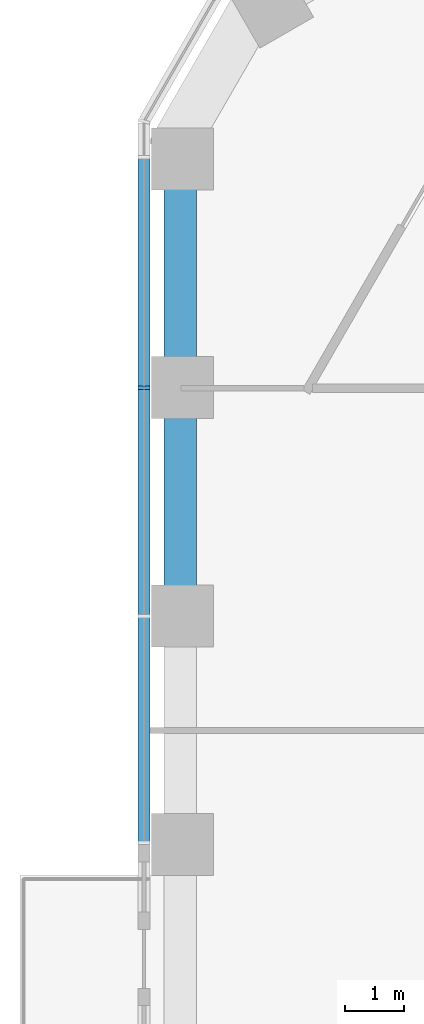
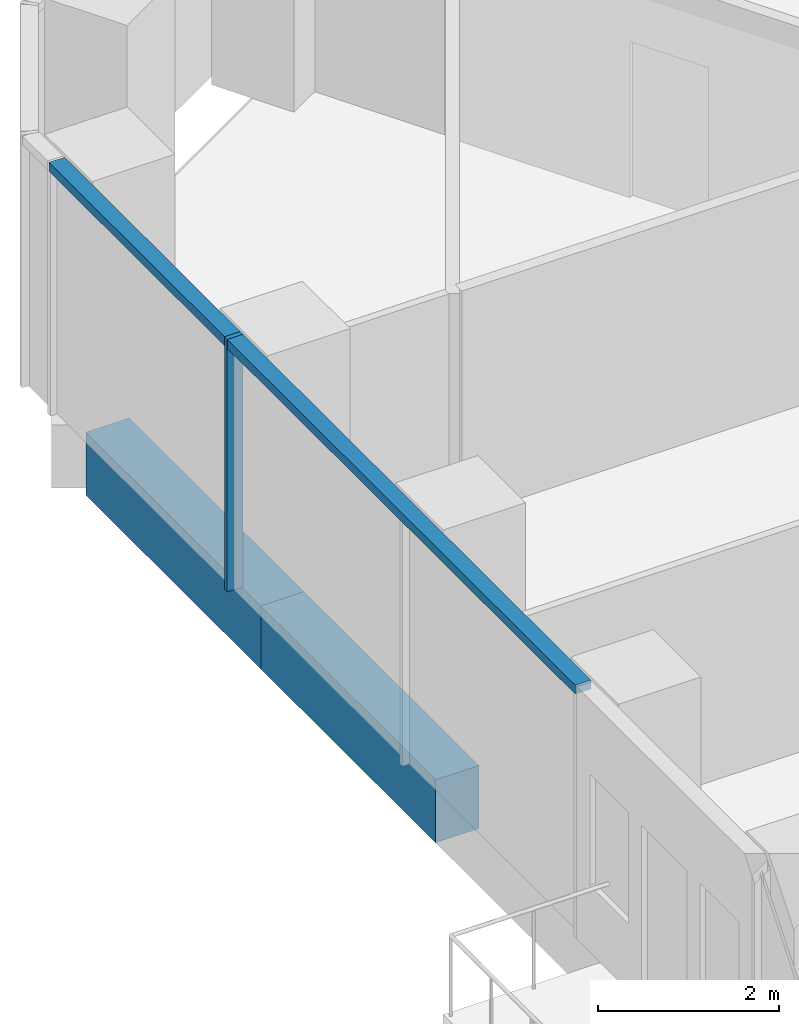
# One storey, part 4 of 20: 2 beams, 2 members, 1 element without a shape of its own.
"""IFC4 building model written with IfcOpenShell, lengths in metres."""

from ifc_helpers import new_model, si_unit, direction, frame, origin, origin_2d, place, context, subcontext, project, spatial, rectangle, extrude, material, layer, layer_set, material_profile, profile_set, type_object, element, aggregate, save


model = new_model("IFC4")

# Units and contexts
model_context = context("Model", 3, precision=1e-05, world=origin(), true_north=direction((0.0, 1.0)))
body_context = subcontext(model_context, "Body", "Model", "MODEL_VIEW")
ifc_project = project(units=[si_unit("LENGTHUNIT", "METRE"), si_unit("AREAUNIT", "SQUARE_METRE"), si_unit("VOLUMEUNIT", "CUBIC_METRE"), si_unit("PLANEANGLEUNIT", "RADIAN"), si_unit("MASSUNIT", "GRAM", prefix="KILO")], contexts=[model_context])

# Site, building, storey
site_placement = place(None, origin())
site = spatial("IfcSite", under=ifc_project, at=site_placement, CompositionType="ELEMENT")
building_placement = place(site_placement, origin())
building = spatial("IfcBuilding", under=site, at=building_placement, Name="Ayvan Gate Tower", CompositionType="ELEMENT")
storey_placement = place(building_placement, frame((0.0, 0.0, 96.699951171875)))
storey = spatial("IfcBuildingStorey", under=building, at=storey_placement, Name="L25", CompositionType="ELEMENT", Elevation=96.699951171875)

# Beams
ifc_material_1 = material(Name="Concrete C40/50", Category="concrete")
ifc_material_profile_1 = material_profile(ifc_material_1, rectangle(XDim=0.550048828125, YDim=0.85009765625, at=origin_2d()), Name="RC 550x850")
ifc_profile_set_1 = profile_set([ifc_material_profile_1], Name="Concrete C40/50")
beam_type = type_object("IfcBeamType", Name="Spandrel beam RC 550x850 C40/50", PredefinedType="BEAM", material=ifc_profile_set_1)
for number, where, z_axis, x_axis, name in (
    (1, (-19.26171875, 9.647216796875, -0.77490234375), (0.0, -1.0, 0.0), (1.0, 0.0, 0.0), "SB-L25-19"),
    (2, (-19.26171875, 5.788330078125, -0.77490234375), (0.0, -1.0, 0.0), (1.0, 0.0, 0.0), "SB-L25-20"),
):
    element("IfcBeam", number, at=place(storey_placement, frame(where, z_axis=z_axis, x_axis=x_axis)), inside=storey, type_object=beam_type, Name=name, PredefinedType="BEAM", context=body_context, shape_type="SweptSolid", body=[
        extrude(rectangle(XDim=0.550048828125, YDim=0.85009765625, at=origin_2d()), origin(), (0.0, 0.0, 1.0), 3.85888671875),
    ])

# Curtain wall, members
ifc_material_2 = material(Name="Bronze anodised aluminium", Category="aluminium")
ifc_layer = layer(ifc_material_2, 0.199951171875)
ifc_layer_set = layer_set([ifc_layer], Name="Bronze anodised aluminium")
curtain_wall_type = type_object("IfcCurtainWallType", Name="Stick curtain wall CW-1", PredefinedType="NOTDEFINED", material=ifc_layer_set)
curtain_wall_placement = place(storey_placement, origin())
curtain_wall = element("IfcCurtainWall", 3, at=curtain_wall_placement, inside=storey, type_object=curtain_wall_type, Name="Stick curtain wall CW-1 L25", PredefinedType="NOTDEFINED")
ifc_material_profile_2 = material_profile(ifc_material_2, rectangle(XDim=0.199951171875, YDim=0.06005859375, at=origin_2d()), Name="Stick curtain wall CW-1 mullion 200 x 60")
ifc_profile_set_2 = profile_set([ifc_material_profile_2], Name="Bronze anodised aluminium")
member_type_1 = type_object("IfcMemberType", Name="Stick curtain wall CW-1 mullion 200 x 60", PredefinedType="MULLION", material=ifc_profile_set_2)
member_1_placement = place(storey_placement, frame((-19.873291015625, 5.80322265625, 0.0), z_axis=(0.0, 0.0, 1.0), x_axis=(-1.0, 0.0, 0.0)))
member_1 = element("IfcMember", 4, at=member_1_placement, type_object=member_type_1, Name="CW-1 mullion 2", PredefinedType="MULLION", context=body_context, shape_type="SweptSolid", body=[
    extrude(rectangle(XDim=0.199951171875, YDim=0.06005859375, at=origin_2d()), origin(), (0.0, 0.0, 1.0), 3.400146484375),
])
ifc_material_profile_3 = material_profile(ifc_material_2, rectangle(XDim=0.199951171875, YDim=0.1201171875, at=origin_2d()), Name="Stick curtain wall CW-1 transom 200 x 120")
ifc_profile_set_3 = profile_set([ifc_material_profile_3], Name="Bronze anodised aluminium")
member_type_2 = type_object("IfcMemberType", Name="Stick curtain wall CW-1 transom 200 x 120", PredefinedType="USERDEFINED", material=ifc_profile_set_3)
member_2_placement = place(storey_placement, frame((-19.873291015625, 9.707275390625, 3.340087890625), z_axis=(0.0, -1.0, 0.0), x_axis=(1.0, 0.0, 0.0)))
member_2 = element("IfcMember", 5, at=member_2_placement, type_object=member_type_2, Name="CW-1 transom 1", ObjectType="TRANSOM", PredefinedType="USERDEFINED", context=body_context, shape_type="SweptSolid", body=[
    extrude(rectangle(XDim=0.199951171875, YDim=0.1201171875, at=origin_2d()), origin(), (0.0, 0.0, 1.0), 11.612060546875),
])
aggregate(curtain_wall, [member_1, member_2])

save(model, "model.ifc")
